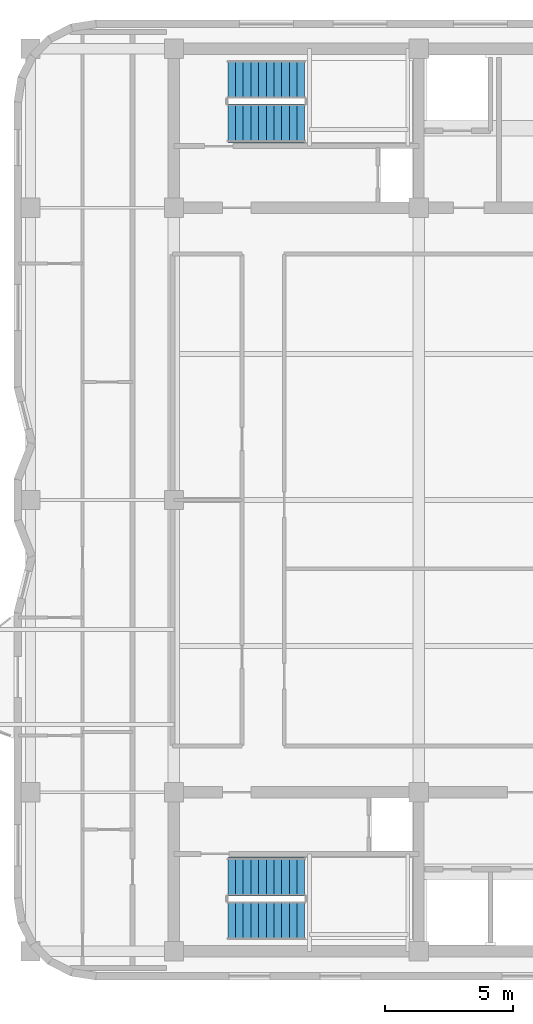
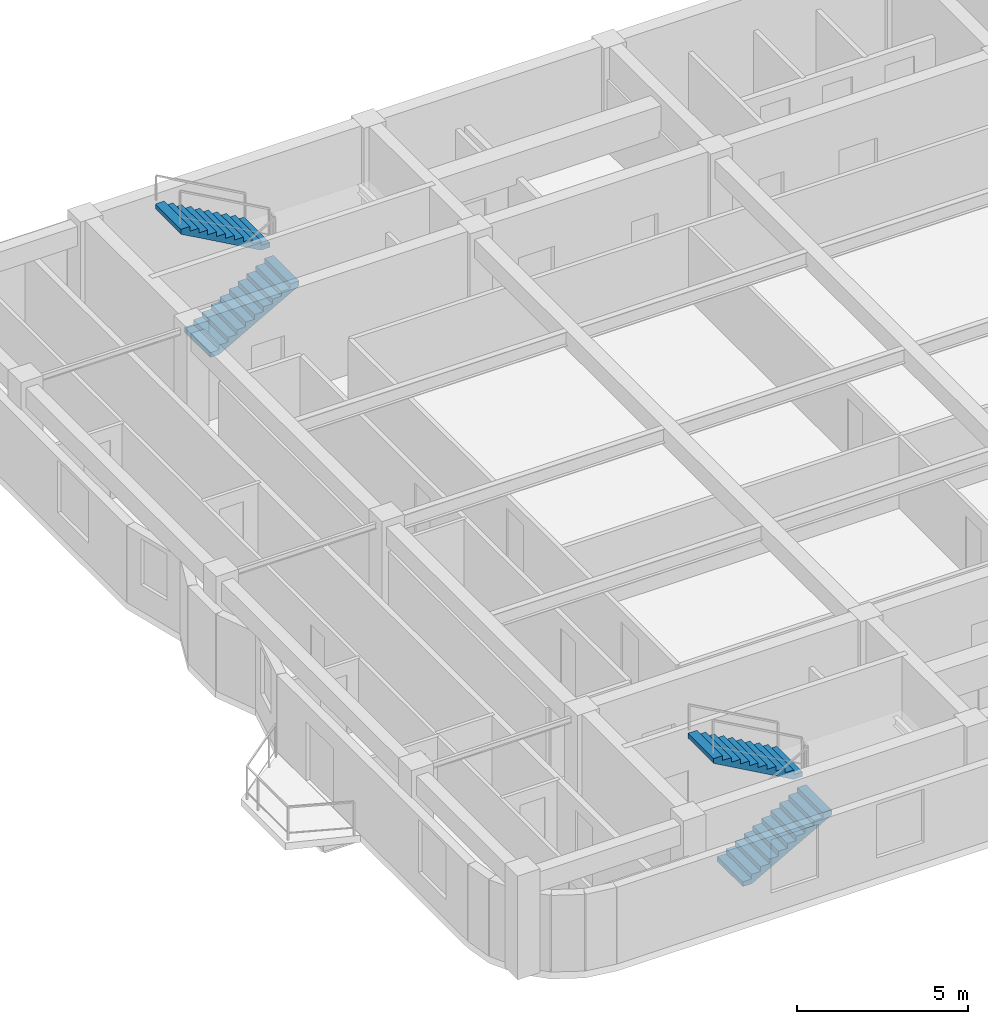
# One storey, part 6 of 8: 4 stair flights, 2 elements without a shape of their own.
"""IFC4 building model written with IfcOpenShell, lengths in metres."""

from ifc_helpers import new_model, si_unit, direction, frame, origin, place, context, subcontext, project, spatial, polyline, outline, extrude, material, type_object, element, aggregate, save


model = new_model("IFC4")

# Units and contexts
model_context = context("Model", 3, precision=1e-05, world=origin(), true_north=direction((0.0, 1.0)))
body_context = subcontext(model_context, "Body", "Model", "MODEL_VIEW")
ifc_project = project(units=[si_unit("LENGTHUNIT", "METRE"), si_unit("AREAUNIT", "SQUARE_METRE"), si_unit("VOLUMEUNIT", "CUBIC_METRE"), si_unit("PLANEANGLEUNIT", "RADIAN"), si_unit("MASSUNIT", "GRAM", prefix="KILO")], contexts=[model_context])

# Site, building, storey
site_placement = place(None, origin())
site = spatial("IfcSite", under=ifc_project, at=site_placement, CompositionType="ELEMENT")
building_placement = place(site_placement, origin())
building = spatial("IfcBuilding", under=site, at=building_placement, Name="Svetorya Sky Lyceum", CompositionType="ELEMENT")
storey_placement = place(building_placement, frame((0.0, 0.0, 263.89990234375)))
storey = spatial("IfcBuildingStorey", under=building, at=storey_placement, Name="L66", CompositionType="ELEMENT", Elevation=263.89990234375)

# Stair, stair flights
ifc_material = material(Name="Concrete C40/50", Category="concrete")
stair_type_1 = type_object("IfcStairType", Name="STR-ST-N", PredefinedType="HALF_TURN_STAIR", material=ifc_material)
stair_1_placement = place(storey_placement, origin())
stair_1 = element("IfcStair", 1, at=stair_1_placement, inside=storey, type_object=stair_type_1, Name="L66 North Core Smoke-Free Exit Stair N3", PredefinedType="HALF_TURN_STAIR")
stair_flight_type_1 = type_object("IfcStairFlightType", Name="SFL-ST-N", PredefinedType="STRAIGHT", material=ifc_material)
stair_flight_1_placement = place(storey_placement, frame((27.699951171875, 42.89990234375, 0.0), z_axis=(0.0, 0.0, 1.0), x_axis=(1.0, 0.0, 0.0)))
stair_flight_1 = element("IfcStairFlight", 2, at=stair_flight_1_placement, type_object=stair_flight_type_1, Name="ST-N flight 1", NumberOfRisers=11, NumberOfTreads=10, PredefinedType="STRAIGHT", RiserHeight=0.168181818, TreadLength=0.3, context=body_context, shape_type="SweptSolid", body=[
    extrude(outline(polyline([(0.0, 0.0), (0.0, 0.168212890625), (0.300048828125, 0.168212890625), (0.300048828125, 0.33642578125), (0.60009765625, 0.33642578125), (0.60009765625, 0.504638671875), (0.89990234375, 0.504638671875), (0.89990234375, 0.672607421875), (1.199951171875, 0.672607421875), (1.199951171875, 0.8408203125), (1.5, 0.8408203125), (1.5, 1.009033203125), (1.800048828125, 1.009033203125), (1.800048828125, 1.17724609375), (2.10009765625, 1.17724609375), (2.10009765625, 1.345458984375), (2.39990234375, 1.345458984375), (2.39990234375, 1.513671875), (2.699951171875, 1.513671875), (2.699951171875, 1.681884765625), (3.0, 1.681884765625), (3.0, 1.85009765625), (3.0, 1.510009765625), (0.306640625, 0.0), (0.0, 0.0)])), frame((0.0, 0.75, 0.0), z_axis=(0.0, -1.0, 0.0), x_axis=(1.0, 0.0, 0.0)), (0.0, 0.0, 1.0), 1.5),
])
stair_flight_2_placement = place(storey_placement, frame((30.699951171875, 44.60009765625, 1.85009765625), z_axis=(0.0, 0.0, 1.0), x_axis=(-1.0, 0.0, 0.0)))
stair_flight_2 = element("IfcStairFlight", 3, at=stair_flight_2_placement, type_object=stair_flight_type_1, Name="ST-N flight 2", NumberOfRisers=11, NumberOfTreads=10, PredefinedType="STRAIGHT", RiserHeight=0.168181818, TreadLength=0.3, context=body_context, shape_type="SweptSolid", body=[
    extrude(outline(polyline([(0.0, 0.0), (0.0, 0.168212890625), (0.300048828125, 0.168212890625), (0.300048828125, 0.33642578125), (0.60009765625, 0.33642578125), (0.60009765625, 0.504638671875), (0.89990234375, 0.504638671875), (0.89990234375, 0.672607421875), (1.199951171875, 0.672607421875), (1.199951171875, 0.8408203125), (1.5, 0.8408203125), (1.5, 1.009033203125), (1.800048828125, 1.009033203125), (1.800048828125, 1.17724609375), (2.10009765625, 1.17724609375), (2.10009765625, 1.345458984375), (2.39990234375, 1.345458984375), (2.39990234375, 1.513671875), (2.699951171875, 1.513671875), (2.699951171875, 1.681884765625), (3.0, 1.681884765625), (3.0, 1.85009765625), (3.0, 1.510009765625), (0.306640625, 0.0), (0.0, 0.0)])), frame((0.0, 0.75, 0.0), z_axis=(0.0, -1.0, 0.0), x_axis=(1.0, 0.0, 0.0)), (0.0, 0.0, 1.0), 1.5),
])
aggregate(stair_1, [stair_flight_1, stair_flight_2])

stair_type_2 = type_object("IfcStairType", Name="STR-ST-S", PredefinedType="HALF_TURN_STAIR", material=ifc_material)
stair_2_placement = place(storey_placement, origin())
stair_2 = element("IfcStair", 4, at=stair_2_placement, inside=storey, type_object=stair_type_2, Name="L66 South Core Smoke-Free Exit Stair N2", PredefinedType="HALF_TURN_STAIR")
stair_flight_type_2 = type_object("IfcStairFlightType", Name="SFL-ST-S", PredefinedType="STRAIGHT", material=ifc_material)
stair_flight_3_placement = place(storey_placement, frame((27.699951171875, 11.800048828125, 0.0), z_axis=(0.0, 0.0, 1.0), x_axis=(1.0, 0.0, 0.0)))
stair_flight_3 = element("IfcStairFlight", 5, at=stair_flight_3_placement, type_object=stair_flight_type_2, Name="ST-S flight 1", NumberOfRisers=11, NumberOfTreads=10, PredefinedType="STRAIGHT", RiserHeight=0.168181818, TreadLength=0.3, context=body_context, shape_type="SweptSolid", body=[
    extrude(outline(polyline([(0.0, 0.0), (0.0, 0.168212890625), (0.300048828125, 0.168212890625), (0.300048828125, 0.33642578125), (0.60009765625, 0.33642578125), (0.60009765625, 0.504638671875), (0.89990234375, 0.504638671875), (0.89990234375, 0.672607421875), (1.199951171875, 0.672607421875), (1.199951171875, 0.8408203125), (1.5, 0.8408203125), (1.5, 1.009033203125), (1.800048828125, 1.009033203125), (1.800048828125, 1.17724609375), (2.10009765625, 1.17724609375), (2.10009765625, 1.345458984375), (2.39990234375, 1.345458984375), (2.39990234375, 1.513671875), (2.699951171875, 1.513671875), (2.699951171875, 1.681884765625), (3.0, 1.681884765625), (3.0, 1.85009765625), (3.0, 1.510009765625), (0.306640625, 0.0), (0.0, 0.0)])), frame((0.0, 0.75, 0.0), z_axis=(0.0, -1.0, 0.0), x_axis=(1.0, 0.0, 0.0)), (0.0, 0.0, 1.0), 1.5),
])
stair_flight_4_placement = place(storey_placement, frame((30.699951171875, 13.5, 1.85009765625), z_axis=(0.0, 0.0, 1.0), x_axis=(-1.0, 0.0, 0.0)))
stair_flight_4 = element("IfcStairFlight", 6, at=stair_flight_4_placement, type_object=stair_flight_type_2, Name="ST-S flight 2", NumberOfRisers=11, NumberOfTreads=10, PredefinedType="STRAIGHT", RiserHeight=0.168181818, TreadLength=0.3, context=body_context, shape_type="SweptSolid", body=[
    extrude(outline(polyline([(0.0, 0.0), (0.0, 0.168212890625), (0.300048828125, 0.168212890625), (0.300048828125, 0.33642578125), (0.60009765625, 0.33642578125), (0.60009765625, 0.504638671875), (0.89990234375, 0.504638671875), (0.89990234375, 0.672607421875), (1.199951171875, 0.672607421875), (1.199951171875, 0.8408203125), (1.5, 0.8408203125), (1.5, 1.009033203125), (1.800048828125, 1.009033203125), (1.800048828125, 1.17724609375), (2.10009765625, 1.17724609375), (2.10009765625, 1.345458984375), (2.39990234375, 1.345458984375), (2.39990234375, 1.513671875), (2.699951171875, 1.513671875), (2.699951171875, 1.681884765625), (3.0, 1.681884765625), (3.0, 1.85009765625), (3.0, 1.510009765625), (0.306640625, 0.0), (0.0, 0.0)])), frame((0.0, 0.75, 0.0), z_axis=(0.0, -1.0, 0.0), x_axis=(1.0, 0.0, 0.0)), (0.0, 0.0, 1.0), 1.5),
])
aggregate(stair_2, [stair_flight_3, stair_flight_4])

save(model, "model.ifc")
